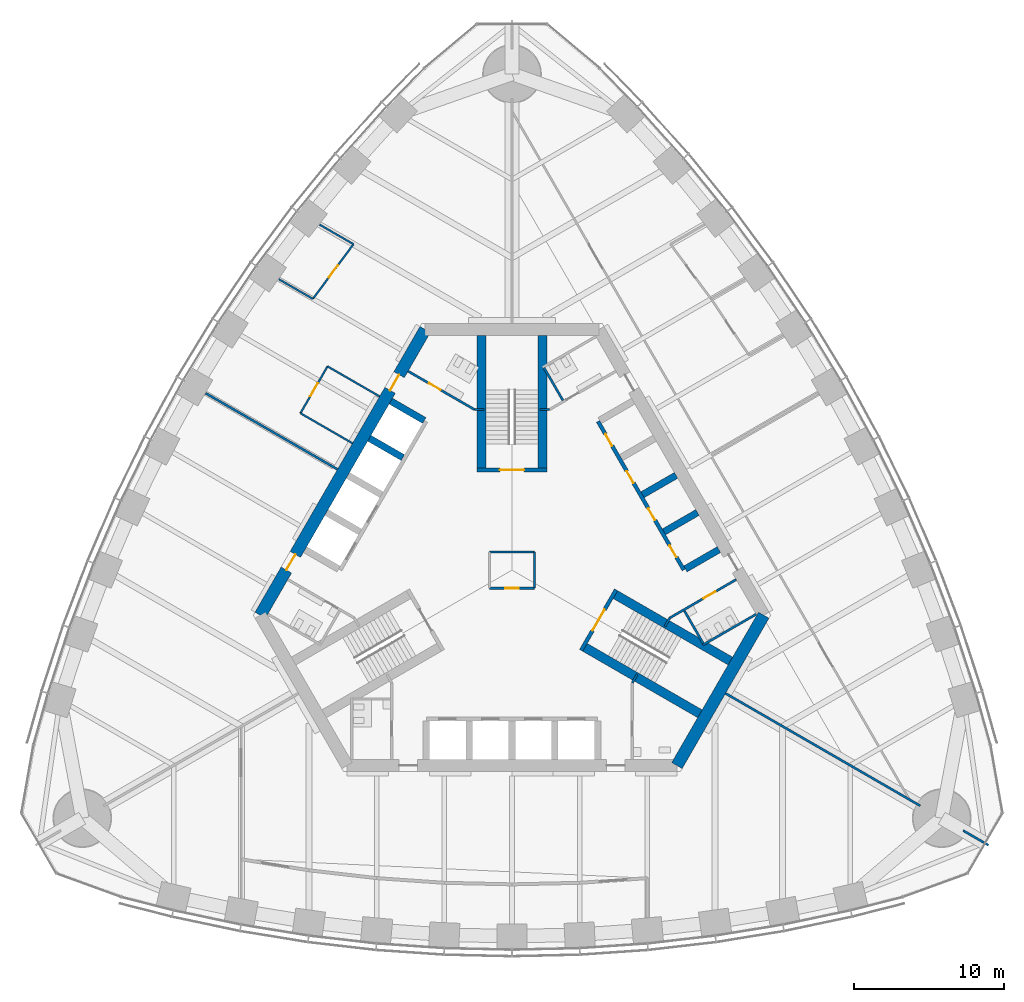
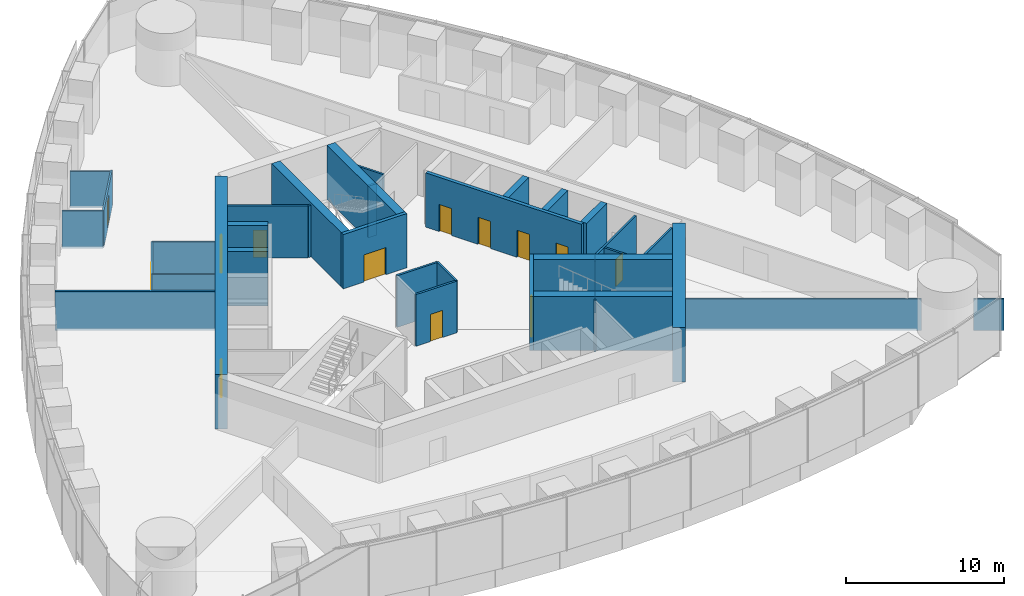
# One storey, part 12 of 18: 35 walls, 13 doors, 13 openings.
"""IFC4 building model written with IfcOpenShell, lengths in metres."""

from ifc_helpers import new_model, si_unit, direction, frame, frame_2d, origin, place, context, subcontext, project, spatial, rectangle, extrude, material, layer, layer_set, type_object, element, fill, save


model = new_model("IFC4")

# Units and contexts
model_context = context("Model", 3, precision=1e-05, world=origin(), true_north=direction((0.0, 1.0)))
body_context = subcontext(model_context, "Body", "Model", "MODEL_VIEW")
ifc_project = project(units=[si_unit("LENGTHUNIT", "METRE"), si_unit("AREAUNIT", "SQUARE_METRE"), si_unit("VOLUMEUNIT", "CUBIC_METRE"), si_unit("PLANEANGLEUNIT", "RADIAN"), si_unit("MASSUNIT", "GRAM", prefix="KILO")], contexts=[model_context])

# Site, building, storey
site_placement = place(None, origin())
site = spatial("IfcSite", under=ifc_project, at=site_placement, CompositionType="ELEMENT")
building_placement = place(site_placement, origin())
building = spatial("IfcBuilding", under=site, at=building_placement, Name="Trefoil Bronze Tower", CompositionType="ELEMENT")
storey_placement = place(building_placement, frame((0.0, 0.0, 198.10009765625)))
storey = spatial("IfcBuildingStorey", under=building, at=storey_placement, Name="L45", CompositionType="ELEMENT", Elevation=198.10009765625)

# Wall
ifc_material_1 = material(Name="Concrete B80", Category="concrete")
ifc_layer_1 = layer(ifc_material_1, 0.800048828125)
ifc_layer_set_1 = layer_set([ifc_layer_1], Name="Core wall 800")
wall_type_1 = type_object("IfcWallType", Name="Core wall 800", PredefinedType="SHEAR", material=ifc_layer_set_1)
wall_1_placement = place(storey_placement, frame((10.9697265625, -13.0, 0.0), z_axis=(0.0, 0.0, 1.0), x_axis=(0.499995765644, 0.866027848477, 0.0)))
element("IfcWall", 1, at=wall_1_placement, inside=storey, type_object=wall_type_1, Name="Core short wall 1 L45", PredefinedType="SHEAR", context=body_context, shape_type="SweptSolid", body=[
    extrude(rectangle(XDim=11.546875, YDim=0.800048828125, at=frame_2d((5.7734375, 0.0))), origin(), (0.0, 0.0, 1.0), 4.199951171875),
])

# Wall, openings, doors
wall_2_placement = place(storey_placement, frame((-5.7734375, 16.0, 0.0), z_axis=(0.0, 0.0, 1.0), x_axis=(-0.500002442456, -0.866023993627, 0.0)))
wall_2 = element("IfcWall", 2, at=wall_2_placement, inside=storey, type_object=wall_type_1, Name="Core long wall 3 L45", PredefinedType="SHEAR", context=body_context, shape_type="SweptSolid", body=[
    extrude(rectangle(XDim=21.939453125, YDim=0.800048828125, at=frame_2d((10.9697265625, 0.0))), origin(), (0.0, 0.0, 1.0), 4.199951171875),
])
opening_1_placement = place(wall_2_placement, frame((17.269775390625, 0.0, 0.0)))
opening_1 = element("IfcOpeningElement", 3, at=opening_1_placement, cuts=wall_2, Name="Opening D2", PredefinedType="OPENING", context=body_context, shape_type="SweptSolid", body=[
    extrude(rectangle(XDim=1.199951171875, YDim=2.10009765625, at=frame_2d((0.60009765625, 1.050048828125))), frame((0.0, 0.409912109375, 0.0), z_axis=(0.0, -1.0, 0.0), x_axis=(1.0, 0.0, 0.0)), (0.0, 0.0, 1.0), 0.820068359375),
])
opening_2_placement = place(wall_2_placement, frame((3.4697265625, 0.0, 0.0)))
opening_2 = element("IfcOpeningElement", 4, at=opening_2_placement, cuts=wall_2, Name="Opening D2", PredefinedType="OPENING", context=body_context, shape_type="SweptSolid", body=[
    extrude(rectangle(XDim=1.199951171875, YDim=2.10009765625, at=frame_2d((0.60009765625, 1.050048828125))), frame((0.0, 0.409912109375, 0.0), z_axis=(0.0, -1.0, 0.0), x_axis=(1.0, 0.0, 0.0)), (0.0, 0.0, 1.0), 0.820068359375),
])
ifc_material_2 = material(Name="Steel door", Category="steel")
door_type_1 = type_object("IfcDoorType", Name="Lobby door 1200", OperationType="SINGLE_SWING_RIGHT", PredefinedType="DOOR", material=ifc_material_2)
door_1_placement = place(opening_1_placement, origin())
door_1 = element("IfcDoor", 5, at=door_1_placement, inside=storey, type_object=door_type_1, Name="Lobby door F3+ L45", OperationType="SINGLE_SWING_RIGHT", OverallHeight=2.10009765625, OverallWidth=1.199951171875, PredefinedType="DOOR", context=body_context, shape_type="SweptSolid", body=[
    extrude(rectangle(XDim=1.199951171875, YDim=2.10009765625, at=frame_2d((0.60009765625, 1.050048828125))), frame((0.0, 0.02490234375, 0.0), z_axis=(0.0, -1.0, 0.0), x_axis=(1.0, 0.0, 0.0)), (0.0, 0.0, 1.0), 0.050048828125),
])
fill(opening_1, door_1)
door_2_placement = place(opening_2_placement, origin())
door_2 = element("IfcDoor", 6, at=door_2_placement, inside=storey, type_object=door_type_1, Name="Lobby door F3- L45", OperationType="SINGLE_SWING_LEFT", OverallHeight=2.10009765625, OverallWidth=1.199951171875, PredefinedType="DOOR", context=body_context, shape_type="SweptSolid", body=[
    extrude(rectangle(XDim=1.199951171875, YDim=2.10009765625, at=frame_2d((0.60009765625, 1.050048828125))), frame((0.0, 0.02490234375, 0.0), z_axis=(0.0, -1.0, 0.0), x_axis=(1.0, 0.0, 0.0)), (0.0, 0.0, 1.0), 0.050048828125),
])
fill(opening_2, door_2)

# Wall, opening, door
ifc_material_3 = material(Name="Glazed partition", Category="glass")
ifc_layer_2 = layer(ifc_material_3, 0.1201171875)
ifc_layer_set_2 = layer_set([ifc_layer_2], Name="Glazed partition 120")
wall_type_2 = type_object("IfcWallType", Name="Glazed partition 120", PredefinedType="PARTITIONING", material=ifc_layer_set_2)
wall_3_placement = place(storey_placement, frame((-12.268798828125, 13.5498046875, 0.0), z_axis=(0.0, 0.0, 1.0), x_axis=(-0.500012057535, -0.866018442252, 0.0)))
wall_3 = element("IfcWall", 7, at=wall_3_placement, inside=storey, type_object=wall_type_2, Name="Partition F3 L45", PredefinedType="PARTITIONING", context=body_context, shape_type="SweptSolid", body=[
    extrude(rectangle(XDim=3.60009765625, YDim=0.1201171875, at=frame_2d((1.800048828125, 0.0))), origin(), (0.0, 0.0, 1.0), 2.89990234375),
])
opening_3_placement = place(wall_3_placement, frame((1.300048828125, 0.0, 0.14990234375)))
opening_3 = element("IfcOpeningElement", 8, at=opening_3_placement, cuts=wall_3, Name="Opening D9", PredefinedType="OPENING", context=body_context, shape_type="SweptSolid", body=[
    extrude(rectangle(XDim=1.0, YDim=2.10009765625, at=frame_2d((0.5, 1.050048828125))), frame((0.0, 0.070068359375, 0.0), z_axis=(0.0, -1.0, 0.0), x_axis=(1.0, 0.0, 0.0)), (0.0, 0.0, 1.0), 0.14013671875),
])
ifc_material_4 = material(Name="Glazed timber door", Category="wood")
door_type_2 = type_object("IfcDoorType", Name="Meeting room door 1000", OperationType="SINGLE_SWING_LEFT", PredefinedType="DOOR", material=ifc_material_4)
door_3_placement = place(opening_3_placement, origin())
door_3 = element("IfcDoor", 9, at=door_3_placement, inside=storey, type_object=door_type_2, Name="Meeting room door F3 L45", OperationType="SINGLE_SWING_RIGHT", OverallHeight=2.10009765625, OverallWidth=1.0, PredefinedType="DOOR", context=body_context, shape_type="SweptSolid", body=[
    extrude(rectangle(XDim=1.0, YDim=2.10009765625, at=frame_2d((0.5, 1.050048828125))), frame((0.0, 0.02490234375, 0.0), z_axis=(0.0, -1.0, 0.0), x_axis=(1.0, 0.0, 0.0)), (0.0, 0.0, 1.0), 0.050048828125),
])
fill(opening_3, door_3)

# Walls
for number, where, z_axis, x_axis, name in (
    (10, (-10.604736328125, 8.43212890625, 0.0), (0.0, 0.0, 1.0), (-0.866026010844, 0.49999894854, 0.0), "Partition F3 L45"),
    (11, (-8.8046875, 11.5498046875, 0.0), (0.0, 0.0, 1.0), (-0.866026010844, 0.49999894854, 0.0), "Partition F3 L45"),
):
    element("IfcWall", number, at=place(storey_placement, frame(where, z_axis=z_axis, x_axis=x_axis)), inside=storey, type_object=wall_type_2, Name=name, PredefinedType="PARTITIONING", context=body_context, shape_type="SweptSolid", body=[
        extrude(rectangle(XDim=4.0, YDim=0.1201171875, at=frame_2d((2.0, 0.0))), origin(), (0.0, 0.0, 1.0), 2.89990234375),
    ])

# Wall, opening, door
wall_4_placement = place(storey_placement, frame((-10.541015625, 21.67431640625, 0.0), z_axis=(0.0, 0.0, 1.0), x_axis=(-0.596173167565, -0.802855873912, 0.0)))
wall_4 = element("IfcWall", 12, at=wall_4_placement, inside=storey, type_object=wall_type_2, Name="Partition F3 L45", PredefinedType="PARTITIONING", context=body_context, shape_type="SweptSolid", body=[
    extrude(rectangle(XDim=4.530029296875, YDim=0.1201171875, at=frame_2d((2.26513671875, 0.0))), origin(), (0.0, 0.0, 1.0), 2.89990234375),
])
opening_4_placement = place(wall_4_placement, frame((1.75, 0.0, 0.14990234375)))
opening_4 = element("IfcOpeningElement", 13, at=opening_4_placement, cuts=wall_4, Name="Opening D9", PredefinedType="OPENING", context=body_context, shape_type="SweptSolid", body=[
    extrude(rectangle(XDim=1.0, YDim=2.10009765625, at=frame_2d((0.5, 1.050048828125))), frame((0.0, 0.070068359375, 0.0), z_axis=(0.0, -1.0, 0.0), x_axis=(1.0, 0.0, 0.0)), (0.0, 0.0, 1.0), 0.14013671875),
])
door_4_placement = place(opening_4_placement, frame((1.0, 0.0, 0.0), z_axis=(0.0, 0.0, 1.0), x_axis=(-1.0, 0.0, 0.0)))
door_4 = element("IfcDoor", 14, at=door_4_placement, inside=storey, type_object=door_type_2, Name="Meeting room door F3 L45", OperationType="SINGLE_SWING_RIGHT", OverallHeight=2.10009765625, OverallWidth=1.0, PredefinedType="DOOR", context=body_context, shape_type="SweptSolid", body=[
    extrude(rectangle(XDim=1.0, YDim=2.10009765625, at=frame_2d((0.5, 1.050048828125))), frame((0.0, 0.02490234375, 0.0), z_axis=(0.0, -1.0, 0.0), x_axis=(1.0, 0.0, 0.0)), (0.0, 0.0, 1.0), 0.050048828125),
])
fill(opening_4, door_4)

# Walls
wall_5_placement = place(storey_placement, frame((-10.541015625, 21.67431640625, 0.0), z_axis=(0.0, 0.0, 1.0), x_axis=(-0.866031051173, 0.499990218309, 0.0)))
element("IfcWall", 15, at=wall_5_placement, inside=storey, type_object=wall_type_2, Name="Partition F3 L45", PredefinedType="PARTITIONING", context=body_context, shape_type="SweptSolid", body=[
    extrude(rectangle(XDim=2.6044921875, YDim=0.1201171875, at=frame_2d((1.30224609375, 0.0))), origin(), (0.0, 0.0, 1.0), 2.7998046875),
])
wall_6_placement = place(storey_placement, frame((-13.24169921875, 18.037353515625, 0.0), z_axis=(0.0, 0.0, 1.0), x_axis=(-0.866003542134, 0.500037863578, 0.0)))
element("IfcWall", 16, at=wall_6_placement, inside=storey, type_object=wall_type_2, Name="Partition F3 L45", PredefinedType="PARTITIONING", context=body_context, shape_type="SweptSolid", body=[
    extrude(rectangle(XDim=2.613037109375, YDim=0.1201171875, at=frame_2d((1.306640625, 0.0))), origin(), (0.0, 0.0, 1.0), 2.89990234375),
])
ifc_material_5 = material(Name="Concrete B80", Category="concrete")
ifc_layer_3 = layer(ifc_material_5, 0.449951171875)
ifc_layer_set_3 = layer_set([ifc_layer_3], Name="Outrigger shaft wall 450")
wall_type_3 = type_object("IfcWallType", Name="Outrigger shaft wall 450", PredefinedType="SHEAR", material=ifc_layer_set_3)
for number, where, z_axis, x_axis, name in (
    (17, (11.531982421875, 0.076171875, 0.0), (0.0, 0.0, 1.0), (0.866005588531, 0.500034319456, 0.0), "Lift shaft side wall B0 L45"),
    (18, (10.10693359375, 2.54443359375, 0.0), (0.0, 0.0, 1.0), (0.866046643894, 0.499963209246, 0.0), "Lift shaft side wall B1 L45"),
    (19, (8.681884765625, 5.012451171875, 0.0), (0.0, 0.0, 1.0), (0.866005588531, 0.500034319456, 0.0), "Lift shaft side wall B2 L45"),
):
    element("IfcWall", number, at=place(storey_placement, frame(where, z_axis=z_axis, x_axis=x_axis)), inside=storey, type_object=wall_type_3, Name=name, PredefinedType="SHEAR", context=body_context, shape_type="SweptSolid", body=[
        extrude(rectangle(XDim=2.574951171875, YDim=0.449951171875, at=frame_2d((1.28759765625, 0.0))), origin(), (0.0, 0.0, 1.0), 4.199951171875),
    ])
wall_7_placement = place(storey_placement, frame((-5.831787109375, 9.94873046875, 0.0), z_axis=(0.0, 0.0, 1.0), x_axis=(-0.866029291668, 0.499993265928, 0.0)))
element("IfcWall", 20, at=wall_7_placement, inside=storey, type_object=wall_type_3, Name="Lift shaft side wall C0 L45", PredefinedType="SHEAR", context=body_context, shape_type="SweptSolid", body=[
    extrude(rectangle(XDim=2.5751953125, YDim=0.449951171875, at=frame_2d((1.28759765625, 0.0))), origin(), (0.0, 0.0, 1.0), 4.199951171875),
])
wall_8_placement = place(storey_placement, frame((-7.2568359375, 7.480712890625, 0.0), z_axis=(0.0, 0.0, 1.0), x_axis=(-0.866046643894, 0.499963209246, 0.0)))
element("IfcWall", 21, at=wall_8_placement, inside=storey, type_object=wall_type_3, Name="Lift shaft side wall C1 L45", PredefinedType="SHEAR", context=body_context, shape_type="SweptSolid", body=[
    extrude(rectangle(XDim=2.574951171875, YDim=0.449951171875, at=frame_2d((1.28759765625, 0.0))), origin(), (0.0, 0.0, 1.0), 4.199951171875),
])

# Wall, opening, door
ifc_material_6 = material(Name="Gypsum board on steel studs", Category="steel")
ifc_layer_4 = layer(ifc_material_6, 0.14990234375)
ifc_layer_set_4 = layer_set([ifc_layer_4], Name="Partition 150")
wall_type_4 = type_object("IfcWallType", Name="Partition 150", PredefinedType="PARTITIONING", material=ifc_layer_set_4)
wall_9_placement = place(storey_placement, frame((10.4951171875, -3.17822265625, 0.0), z_axis=(0.0, 0.0, 1.0), x_axis=(0.86602216432, 0.500005610874, 0.0)))
wall_9 = element("IfcWall", 22, at=wall_9_placement, inside=storey, type_object=wall_type_4, Name="Passage wall F2- L45", PredefinedType="PARTITIONING", context=body_context, shape_type="SweptSolid", body=[
    extrude(rectangle(XDim=5.10009765625, YDim=0.14990234375, at=frame_2d((2.550048828125, 0.0))), origin(), (0.0, 0.0, 1.0), 4.0),
])
opening_5_placement = place(wall_9_placement, frame((2.60009765625, 0.0, 0.0)))
opening_5 = element("IfcOpeningElement", 23, at=opening_5_placement, cuts=wall_9, Name="Opening D3", PredefinedType="OPENING", context=body_context, shape_type="SweptSolid", body=[
    extrude(rectangle(XDim=0.89990234375, YDim=2.10009765625, at=frame_2d((0.449951171875, 1.050048828125))), frame((0.0, 0.0849609375, 0.0), z_axis=(0.0, -1.0, 0.0), x_axis=(1.0, 0.0, 0.0)), (0.0, 0.0, 1.0), 0.169921875),
])
ifc_material_7 = material(Name="Timber door", Category="wood")
door_type_3 = type_object("IfcDoorType", Name="WC door 900", OperationType="SINGLE_SWING_LEFT", PredefinedType="DOOR", material=ifc_material_7)
door_5_placement = place(opening_5_placement, frame((0.89990234375, 0.0, 0.0), z_axis=(0.0, 0.0, 1.0), x_axis=(-1.0, 0.0, 0.0)))
door_5 = element("IfcDoor", 24, at=door_5_placement, inside=storey, type_object=door_type_3, Name="WC (women) door L45", OperationType="SINGLE_SWING_RIGHT", OverallHeight=2.10009765625, OverallWidth=0.89990234375, PredefinedType="DOOR", context=body_context, shape_type="SweptSolid", body=[
    extrude(rectangle(XDim=0.89990234375, YDim=2.10009765625, at=frame_2d((0.449951171875, 1.050048828125))), frame((0.0, 0.02490234375, 0.0), z_axis=(0.0, -1.0, 0.0), x_axis=(1.0, 0.0, 0.0)), (0.0, 0.0, 1.0), 0.050048828125),
])
fill(opening_5, door_5)

wall_10_placement = place(storey_placement, frame((-2.4951171875, 10.67822265625, 0.0), z_axis=(0.0, 0.0, 1.0), x_axis=(-0.86602216432, 0.500005610874, 0.0)))
wall_10 = element("IfcWall", 25, at=wall_10_placement, inside=storey, type_object=wall_type_4, Name="Passage wall F3- L45", PredefinedType="PARTITIONING", context=body_context, shape_type="SweptSolid", body=[
    extrude(rectangle(XDim=5.10009765625, YDim=0.14990234375, at=frame_2d((2.550048828125, 0.0))), origin(), (0.0, 0.0, 1.0), 4.0),
])
opening_6_placement = place(wall_10_placement, frame((2.60009765625, 0.0, 0.0)))
opening_6 = element("IfcOpeningElement", 26, at=opening_6_placement, cuts=wall_10, Name="Opening D3", PredefinedType="OPENING", context=body_context, shape_type="SweptSolid", body=[
    extrude(rectangle(XDim=0.89990234375, YDim=2.10009765625, at=frame_2d((0.449951171875, 1.050048828125))), frame((0.0, 0.0849609375, 0.0), z_axis=(0.0, -1.0, 0.0), x_axis=(1.0, 0.0, 0.0)), (0.0, 0.0, 1.0), 0.169921875),
])
door_6_placement = place(opening_6_placement, frame((0.89990234375, 0.0, 0.0), z_axis=(0.0, 0.0, 1.0), x_axis=(-1.0, 0.0, 0.0)))
door_6 = element("IfcDoor", 27, at=door_6_placement, inside=storey, type_object=door_type_3, Name="WC (women) door L45", OperationType="SINGLE_SWING_LEFT", OverallHeight=2.10009765625, OverallWidth=0.89990234375, PredefinedType="DOOR", context=body_context, shape_type="SweptSolid", body=[
    extrude(rectangle(XDim=0.89990234375, YDim=2.10009765625, at=frame_2d((0.449951171875, 1.050048828125))), frame((0.0, 0.02490234375, 0.0), z_axis=(0.0, -1.0, 0.0), x_axis=(1.0, 0.0, 0.0)), (0.0, 0.0, 1.0), 0.050048828125),
])
fill(opening_6, door_6)

# Walls
for number, where, z_axis, x_axis, name in (
    (28, (8.0, -7.5, 0.0), (0.0, 0.0, 1.0), (0.499842556608, 0.866116284689, 0.0), "WC wall ST1-1 L45"),
    (29, (10.4951171875, -3.17822265625, 0.0), (0.0, 0.0, 1.0), (-0.499842556608, -0.866116284689, 0.0), "WC wall ST1+1 L45"),
):
    element("IfcWall", number, at=place(storey_placement, frame(where, z_axis=z_axis, x_axis=x_axis)), inside=storey, type_object=wall_type_4, Name=name, PredefinedType="PARTITIONING", context=body_context, shape_type="SweptSolid", body=[
        extrude(rectangle(XDim=0.645263671875, YDim=0.14990234375, at=frame_2d((0.32275390625, 0.0))), origin(), (0.0, 0.0, 1.0), 4.0),
    ])
for number, where, z_axis, x_axis, name in (
    (30, (2.4951171875, 10.67822265625, 0.0), (0.0, 0.0, 1.0), (-1.0, 0.0, 0.0), "WC wall ST2-1 L45"),
    (31, (-2.4951171875, 10.67822265625, 0.0), (0.0, 0.0, 1.0), (1.0, 0.0, 0.0), "WC wall ST2+1 L45"),
):
    element("IfcWall", number, at=place(storey_placement, frame(where, z_axis=z_axis, x_axis=x_axis)), inside=storey, type_object=wall_type_4, Name=name, PredefinedType="PARTITIONING", context=body_context, shape_type="SweptSolid", body=[
        extrude(rectangle(XDim=0.64501953125, YDim=0.14990234375, at=frame_2d((0.322509765625, 0.0))), origin(), (0.0, 0.0, 1.0), 4.0),
    ])
wall_11_placement = place(storey_placement, frame((12.691162109375, -4.98193359375, 0.0), z_axis=(0.0, 0.0, 1.0), x_axis=(0.8660249478, 0.500000789788, 0.0)))
element("IfcWall", 32, at=wall_11_placement, inside=storey, type_object=wall_type_4, Name="WC partition WC (women) L45", PredefinedType="PARTITIONING", context=body_context, shape_type="SweptSolid", body=[
    extrude(rectangle(XDim=4.10009765625, YDim=0.14990234375, at=frame_2d((2.050048828125, 0.0))), origin(), (0.0, 0.0, 1.0), 4.0),
])
wall_12_placement = place(storey_placement, frame((11.463623046875, -2.70556640625, 0.0), z_axis=(0.0, 0.0, 1.0), x_axis=(0.50001992892, -0.866013897511, 0.0)))
element("IfcWall", 33, at=wall_12_placement, inside=storey, type_object=wall_type_4, Name="WC partition WC (women) L45", PredefinedType="PARTITIONING", context=body_context, shape_type="SweptSolid", body=[
    extrude(rectangle(XDim=2.51025390625, YDim=0.14990234375, at=frame_2d((1.255126953125, 0.0))), origin(), (0.0, 0.0, 1.0), 4.0),
])
wall_13_placement = place(storey_placement, frame((3.388671875, 11.28076171875, 0.0), z_axis=(0.0, 0.0, 1.0), x_axis=(-0.499989096993, 0.866031698547, 0.0)))
element("IfcWall", 34, at=wall_13_placement, inside=storey, type_object=wall_type_4, Name="WC partition WC (men) L45", PredefinedType="PARTITIONING", context=body_context, shape_type="SweptSolid", body=[
    extrude(rectangle(XDim=2.509765625, YDim=0.14990234375, at=frame_2d((1.2548828125, 0.0))), origin(), (0.0, 0.0, 1.0), 4.0),
])
ifc_material_8 = material(Name="Gypsum board on steel studs", Category="steel")
ifc_layer_5 = layer(ifc_material_8, 0.14990234375)
ifc_layer_set_5 = layer_set([ifc_layer_5], Name="Party wall 150")
wall_type_5 = type_object("IfcWallType", Name="Party wall 150", PredefinedType="PARTITIONING", material=ifc_layer_set_5)
wall_14_placement = place(storey_placement, frame((14.202880859375, -8.199951171875, 0.0), z_axis=(0.0, 0.0, 1.0), x_axis=(0.866021600284, -0.500006587798, 0.0)))
element("IfcWall", 35, at=wall_14_placement, inside=storey, type_object=wall_type_5, Name="Party wall K1 L45", PredefinedType="PARTITIONING", context=body_context, shape_type="SweptSolid", body=[
    extrude(rectangle(XDim=14.949951171875, YDim=0.14990234375, at=frame_2d((7.47509765625, 0.0))), origin(), (0.0, 0.0, 1.0), 2.39990234375),
])
wall_15_placement = place(storey_placement, frame((30.0078125, -17.324951171875, 0.0), z_axis=(0.0, 0.0, 1.0), x_axis=(0.866013246922, -0.500021055713, 0.0)))
element("IfcWall", 36, at=wall_15_placement, inside=storey, type_object=wall_type_5, Name="Party wall K1 L45", PredefinedType="PARTITIONING", context=body_context, shape_type="SweptSolid", body=[
    extrude(rectangle(XDim=1.9345703125, YDim=0.14990234375, at=frame_2d((0.96728515625, 0.0))), origin(), (0.0, 0.0, 1.0), 2.39990234375),
])
wall_16_placement = place(storey_placement, frame((-11.61328125, 6.705078125, 0.0), z_axis=(0.0, 0.0, 1.0), x_axis=(-0.866032382055, 0.499987913086, 0.0)))
element("IfcWall", 37, at=wall_16_placement, inside=storey, type_object=wall_type_5, Name="Demising wall F3 L45", PredefinedType="PARTITIONING", context=body_context, shape_type="SweptSolid", body=[
    extrude(rectangle(XDim=10.110595703125, YDim=0.14990234375, at=frame_2d((5.05517578125, 0.0))), origin(), (0.0, 0.0, 1.0), 2.991943359375),
])

# Wall, opening, door
ifc_material_9 = material(Name="Gypsum board on steel studs", Category="steel")
ifc_layer_6 = layer(ifc_material_9, 0.14990234375)
ifc_layer_set_6 = layer_set([ifc_layer_6], Name="Riser wall 150")
wall_type_6 = type_object("IfcWallType", Name="Riser wall 150", PredefinedType="PARTITIONING", material=ifc_layer_set_6)
wall_17_placement = place(storey_placement, frame((-1.5, -1.199951171875, 0.0), z_axis=(0.0, 0.0, 1.0), x_axis=(1.0, 0.0, 0.0)))
wall_17 = element("IfcWall", 38, at=wall_17_placement, inside=storey, type_object=wall_type_6, Name="Riser wall L45", PredefinedType="PARTITIONING", context=body_context, shape_type="SweptSolid", body=[
    extrude(rectangle(XDim=3.0, YDim=0.14990234375, at=frame_2d((1.5, 0.0))), origin(), (0.0, 0.0, 1.0), 4.0),
])
opening_7_placement = place(wall_17_placement, frame((1.050048828125, 0.0, 0.0)))
opening_7 = element("IfcOpeningElement", 39, at=opening_7_placement, cuts=wall_17, Name="Opening D4", PredefinedType="OPENING", context=body_context, shape_type="SweptSolid", body=[
    extrude(rectangle(XDim=0.89990234375, YDim=2.10009765625, at=frame_2d((0.449951171875, 1.050048828125))), frame((0.0, 0.0849609375, 0.0), z_axis=(0.0, -1.0, 0.0), x_axis=(1.0, 0.0, 0.0)), (0.0, 0.0, 1.0), 0.169921875),
])
ifc_material_10 = material(Name="Steel door", Category="steel")
door_type_4 = type_object("IfcDoorType", Name="Riser door 900", OperationType="SINGLE_SWING_LEFT", PredefinedType="DOOR", material=ifc_material_10)
door_7_placement = place(opening_7_placement, frame((0.89990234375, 0.0, 0.0), z_axis=(0.0, 0.0, 1.0), x_axis=(-1.0, 0.0, 0.0)))
door_7 = element("IfcDoor", 40, at=door_7_placement, inside=storey, type_object=door_type_4, Name="Riser door L45", OperationType="SINGLE_SWING_LEFT", OverallHeight=2.10009765625, OverallWidth=0.89990234375, PredefinedType="DOOR", context=body_context, shape_type="SweptSolid", body=[
    extrude(rectangle(XDim=0.89990234375, YDim=2.10009765625, at=frame_2d((0.449951171875, 1.050048828125))), frame((0.0, 0.02490234375, 0.0), z_axis=(0.0, -1.0, 0.0), x_axis=(1.0, 0.0, 0.0)), (0.0, 0.0, 1.0), 0.050048828125),
])
fill(opening_7, door_7)

# Walls
wall_18_placement = place(storey_placement, frame((1.5, -1.199951171875, 0.0), z_axis=(0.0, 0.0, 1.0), x_axis=(0.0, 1.0, 0.0)))
element("IfcWall", 41, at=wall_18_placement, inside=storey, type_object=wall_type_6, Name="Riser wall L45", PredefinedType="PARTITIONING", context=body_context, shape_type="SweptSolid", body=[
    extrude(rectangle(XDim=2.39990234375, YDim=0.14990234375, at=frame_2d((1.199951171875, 0.0))), origin(), (0.0, 0.0, 1.0), 4.0),
])
wall_19_placement = place(storey_placement, frame((1.5, 1.199951171875, 0.0), z_axis=(0.0, 0.0, 1.0), x_axis=(-1.0, 0.0, 0.0)))
element("IfcWall", 42, at=wall_19_placement, inside=storey, type_object=wall_type_6, Name="Riser wall L45", PredefinedType="PARTITIONING", context=body_context, shape_type="SweptSolid", body=[
    extrude(rectangle(XDim=3.0, YDim=0.14990234375, at=frame_2d((1.5, 0.0))), origin(), (0.0, 0.0, 1.0), 4.0),
])

# Wall, openings, doors
ifc_material_11 = material(Name="Concrete B80", Category="concrete")
ifc_layer_7 = layer(ifc_material_11, 0.25)
ifc_layer_set_7 = layer_set([ifc_layer_7], Name="Shaft wall 250")
wall_type_7 = type_object("IfcWallType", Name="Shaft wall 250", PredefinedType="SHEAR", material=ifc_layer_set_7)
wall_20_placement = place(storey_placement, frame((11.423583984375, 0.013671875, 0.0), z_axis=(0.0, 0.0, 1.0), x_axis=(-0.500001763848, 0.866024385424, 0.0)))
wall_20 = element("IfcWall", 43, at=wall_20_placement, inside=storey, type_object=wall_type_7, Name="Lift shaft front wall B L45", PredefinedType="SHEAR", context=body_context, shape_type="SweptSolid", body=[
    extrude(rectangle(XDim=11.39990234375, YDim=0.25, at=frame_2d((5.699951171875, 0.0))), origin(), (0.0, 0.0, 1.0), 4.199951171875),
])
opening_8_placement = place(wall_20_placement, frame((0.97509765625, 0.0, 0.0)))
opening_8 = element("IfcOpeningElement", 44, at=opening_8_placement, cuts=wall_20, Name="Opening D12", PredefinedType="OPENING", context=body_context, shape_type="SweptSolid", body=[
    extrude(rectangle(XDim=0.89990234375, YDim=2.10009765625, at=frame_2d((0.449951171875, 1.050048828125))), frame((0.0, 0.135009765625, 0.0), z_axis=(0.0, -1.0, 0.0), x_axis=(1.0, 0.0, 0.0)), (0.0, 0.0, 1.0), 0.27001953125),
])
opening_9_placement = place(wall_20_placement, frame((3.824951171875, 0.0, 0.0)))
opening_9 = element("IfcOpeningElement", 45, at=opening_9_placement, cuts=wall_20, Name="Opening D12", PredefinedType="OPENING", context=body_context, shape_type="SweptSolid", body=[
    extrude(rectangle(XDim=0.89990234375, YDim=2.10009765625, at=frame_2d((0.449951171875, 1.050048828125))), frame((0.0, 0.135009765625, 0.0), z_axis=(0.0, -1.0, 0.0), x_axis=(1.0, 0.0, 0.0)), (0.0, 0.0, 1.0), 0.27001953125),
])
opening_10_placement = place(wall_20_placement, frame((6.675048828125, 0.0, 0.0)))
opening_10 = element("IfcOpeningElement", 46, at=opening_10_placement, cuts=wall_20, Name="Opening D12", PredefinedType="OPENING", context=body_context, shape_type="SweptSolid", body=[
    extrude(rectangle(XDim=0.89990234375, YDim=2.10009765625, at=frame_2d((0.449951171875, 1.050048828125))), frame((0.0, 0.135009765625, 0.0), z_axis=(0.0, -1.0, 0.0), x_axis=(1.0, 0.0, 0.0)), (0.0, 0.0, 1.0), 0.27001953125),
])
opening_11_placement = place(wall_20_placement, frame((9.52490234375, 0.0, 0.0)))
opening_11 = element("IfcOpeningElement", 47, at=opening_11_placement, cuts=wall_20, Name="Opening D12", PredefinedType="OPENING", context=body_context, shape_type="SweptSolid", body=[
    extrude(rectangle(XDim=0.89990234375, YDim=2.10009765625, at=frame_2d((0.449951171875, 1.050048828125))), frame((0.0, 0.135009765625, 0.0), z_axis=(0.0, -1.0, 0.0), x_axis=(1.0, 0.0, 0.0)), (0.0, 0.0, 1.0), 0.27001953125),
])
ifc_material_12 = material(Name="Steel door", Category="steel")
door_type_5 = type_object("IfcDoorType", Name="Shaft room door 900", OperationType="SINGLE_SWING_LEFT", PredefinedType="DOOR", material=ifc_material_12)
door_8_placement = place(opening_8_placement, frame((0.89990234375, 0.0, 0.0), z_axis=(0.0, 0.0, 1.0), x_axis=(-1.0, 0.0, 0.0)))
door_8 = element("IfcDoor", 48, at=door_8_placement, inside=storey, type_object=door_type_5, Name="Shaft room door B1 L45", OperationType="SINGLE_SWING_LEFT", OverallHeight=2.10009765625, OverallWidth=0.89990234375, PredefinedType="DOOR", context=body_context, shape_type="SweptSolid", body=[
    extrude(rectangle(XDim=0.89990234375, YDim=2.10009765625, at=frame_2d((0.449951171875, 1.050048828125))), frame((0.0, 0.02490234375, 0.0), z_axis=(0.0, -1.0, 0.0), x_axis=(1.0, 0.0, 0.0)), (0.0, 0.0, 1.0), 0.050048828125),
])
fill(opening_8, door_8)
door_9_placement = place(opening_9_placement, frame((0.89990234375, 0.0, 0.0), z_axis=(0.0, 0.0, 1.0), x_axis=(-1.0, 0.0, 0.0)))
door_9 = element("IfcDoor", 49, at=door_9_placement, inside=storey, type_object=door_type_5, Name="Shaft room door B2 L45", OperationType="SINGLE_SWING_RIGHT", OverallHeight=2.10009765625, OverallWidth=0.89990234375, PredefinedType="DOOR", context=body_context, shape_type="SweptSolid", body=[
    extrude(rectangle(XDim=0.89990234375, YDim=2.10009765625, at=frame_2d((0.449951171875, 1.050048828125))), frame((0.0, 0.02490234375, 0.0), z_axis=(0.0, -1.0, 0.0), x_axis=(1.0, 0.0, 0.0)), (0.0, 0.0, 1.0), 0.050048828125),
])
fill(opening_9, door_9)
door_10_placement = place(opening_10_placement, frame((0.89990234375, 0.0, 0.0), z_axis=(0.0, 0.0, 1.0), x_axis=(-1.0, 0.0, 0.0)))
door_10 = element("IfcDoor", 50, at=door_10_placement, inside=storey, type_object=door_type_5, Name="Shaft room door B3 L45", OperationType="SINGLE_SWING_RIGHT", OverallHeight=2.10009765625, OverallWidth=0.89990234375, PredefinedType="DOOR", context=body_context, shape_type="SweptSolid", body=[
    extrude(rectangle(XDim=0.89990234375, YDim=2.10009765625, at=frame_2d((0.449951171875, 1.050048828125))), frame((0.0, 0.02490234375, 0.0), z_axis=(0.0, -1.0, 0.0), x_axis=(1.0, 0.0, 0.0)), (0.0, 0.0, 1.0), 0.050048828125),
])
fill(opening_10, door_10)
door_11_placement = place(opening_11_placement, frame((0.89990234375, 0.0, 0.0), z_axis=(0.0, 0.0, 1.0), x_axis=(-1.0, 0.0, 0.0)))
door_11 = element("IfcDoor", 51, at=door_11_placement, inside=storey, type_object=door_type_5, Name="Shaft room door B4 L45", OperationType="SINGLE_SWING_RIGHT", OverallHeight=2.10009765625, OverallWidth=0.89990234375, PredefinedType="DOOR", context=body_context, shape_type="SweptSolid", body=[
    extrude(rectangle(XDim=0.89990234375, YDim=2.10009765625, at=frame_2d((0.449951171875, 1.050048828125))), frame((0.0, 0.02490234375, 0.0), z_axis=(0.0, -1.0, 0.0), x_axis=(1.0, 0.0, 0.0)), (0.0, 0.0, 1.0), 0.050048828125),
])
fill(opening_11, door_11)

# Wall, opening, door
wall_21_placement = place(storey_placement, frame((4.5966796875, -5.338623046875, 0.0), z_axis=(0.0, 0.0, 1.0), x_axis=(0.499984536904, 0.866034331223, 0.0)))
wall_21 = element("IfcWall", 52, at=wall_21_placement, inside=storey, type_object=wall_type_7, Name="Stair end wall ST1 L45", PredefinedType="SHEAR", context=body_context, shape_type="SweptSolid", body=[
    extrude(rectangle(XDim=4.650146484375, YDim=0.25, at=frame_2d((2.3251953125, 0.0))), origin(), (0.0, 0.0, 1.0), 4.199951171875),
])
opening_12_placement = place(wall_21_placement, frame((1.52490234375, 0.0, 0.0)))
opening_12 = element("IfcOpeningElement", 53, at=opening_12_placement, cuts=wall_21, Name="Opening D1", PredefinedType="OPENING", context=body_context, shape_type="SweptSolid", body=[
    extrude(rectangle(XDim=1.60009765625, YDim=2.10009765625, at=frame_2d((0.800048828125, 1.050048828125))), frame((0.0, 0.135009765625, 0.0), z_axis=(0.0, -1.0, 0.0), x_axis=(1.0, 0.0, 0.0)), (0.0, 0.0, 1.0), 0.27001953125),
])
ifc_material_13 = material(Name="Steel door", Category="steel")
door_type_6 = type_object("IfcDoorType", Name="Stair door 1600", OperationType="DOUBLE_DOOR_SINGLE_SWING", PredefinedType="DOOR", material=ifc_material_13)
door_12_placement = place(opening_12_placement, frame((1.60009765625, 0.0, 0.0), z_axis=(0.0, 0.0, 1.0), x_axis=(-1.0, 0.0, 0.0)))
door_12 = element("IfcDoor", 54, at=door_12_placement, inside=storey, type_object=door_type_6, Name="Stair door ST1 L45", OperationType="DOUBLE_DOOR_SINGLE_SWING", OverallHeight=2.10009765625, OverallWidth=1.60009765625, PredefinedType="DOOR", context=body_context, shape_type="SweptSolid", body=[
    extrude(rectangle(XDim=1.60009765625, YDim=2.10009765625, at=frame_2d((0.800048828125, 1.050048828125))), frame((0.0, 0.02490234375, 0.0), z_axis=(0.0, -1.0, 0.0), x_axis=(1.0, 0.0, 0.0)), (0.0, 0.0, 1.0), 0.050048828125),
])
fill(opening_12, door_12)

wall_22_placement = place(storey_placement, frame((2.324951171875, 6.64990234375, 0.0), z_axis=(0.0, 0.0, 1.0), x_axis=(-1.0, 0.0, 0.0)))
wall_22 = element("IfcWall", 55, at=wall_22_placement, inside=storey, type_object=wall_type_7, Name="Stair end wall ST2 L45", PredefinedType="SHEAR", context=body_context, shape_type="SweptSolid", body=[
    extrude(rectangle(XDim=4.64990234375, YDim=0.25, at=frame_2d((2.324951171875, 0.0))), origin(), (0.0, 0.0, 1.0), 4.199951171875),
])
opening_13_placement = place(wall_22_placement, frame((1.52490234375, 0.0, 0.0)))
opening_13 = element("IfcOpeningElement", 56, at=opening_13_placement, cuts=wall_22, Name="Opening D1", PredefinedType="OPENING", context=body_context, shape_type="SweptSolid", body=[
    extrude(rectangle(XDim=1.60009765625, YDim=2.10009765625, at=frame_2d((0.800048828125, 1.050048828125))), frame((0.0, 0.135009765625, 0.0), z_axis=(0.0, -1.0, 0.0), x_axis=(1.0, 0.0, 0.0)), (0.0, 0.0, 1.0), 0.27001953125),
])
door_13_placement = place(opening_13_placement, frame((1.60009765625, 0.0, 0.0), z_axis=(0.0, 0.0, 1.0), x_axis=(-1.0, 0.0, 0.0)))
door_13 = element("IfcDoor", 57, at=door_13_placement, inside=storey, type_object=door_type_6, Name="Stair door ST2 L45", OperationType="DOUBLE_DOOR_SINGLE_SWING", OverallHeight=2.10009765625, OverallWidth=1.60009765625, PredefinedType="DOOR", context=body_context, shape_type="SweptSolid", body=[
    extrude(rectangle(XDim=1.60009765625, YDim=2.10009765625, at=frame_2d((0.800048828125, 1.050048828125))), frame((0.0, 0.02490234375, 0.0), z_axis=(0.0, -1.0, 0.0), x_axis=(1.0, 0.0, 0.0)), (0.0, 0.0, 1.0), 0.050048828125),
])
fill(opening_13, door_13)

# Walls
ifc_material_14 = material(Name="Concrete B80", Category="concrete")
ifc_layer_8 = layer(ifc_material_14, 0.60009765625)
ifc_layer_set_8 = layer_set([ifc_layer_8], Name="Stair wall 600")
wall_type_8 = type_object("IfcWallType", Name="Stair wall 600", PredefinedType="SHEAR", material=ifc_layer_set_8)
for number, where, z_axis, x_axis, name in (
    (58, (4.638427734375, -5.01611328125, 0.0), (0.0, 0.0, 1.0), (0.866019375473, -0.500010441196, 0.0), "Stair wall ST1 L45"),
    (59, (6.663330078125, -1.5087890625, 0.0), (0.0, 0.0, 1.0), (0.866019375473, -0.500010441196, 0.0), "Stair wall ST1 L45"),
):
    element("IfcWall", number, at=place(storey_placement, frame(where, z_axis=z_axis, x_axis=x_axis)), inside=storey, type_object=wall_type_8, Name=name, PredefinedType="SHEAR", context=body_context, shape_type="SweptSolid", body=[
        extrude(rectangle(XDim=9.074951171875, YDim=0.60009765625, at=frame_2d((4.53759765625, 0.0))), origin(), (0.0, 0.0, 1.0), 4.199951171875),
    ])
for number, where, z_axis, x_axis, name in (
    (60, (2.02490234375, 6.52490234375, 0.0), (0.0, 0.0, 1.0), (0.0, 1.0, 0.0), "Stair wall ST2 L45"),
    (61, (-2.02490234375, 6.52490234375, 0.0), (0.0, 0.0, 1.0), (0.0, 1.0, 0.0), "Stair wall ST2 L45"),
):
    element("IfcWall", number, at=place(storey_placement, frame(where, z_axis=z_axis, x_axis=x_axis)), inside=storey, type_object=wall_type_8, Name=name, PredefinedType="SHEAR", context=body_context, shape_type="SweptSolid", body=[
        extrude(rectangle(XDim=9.0751953125, YDim=0.60009765625, at=frame_2d((4.53759765625, 0.0))), origin(), (0.0, 0.0, 1.0), 4.199951171875),
    ])

save(model, "model.ifc")
